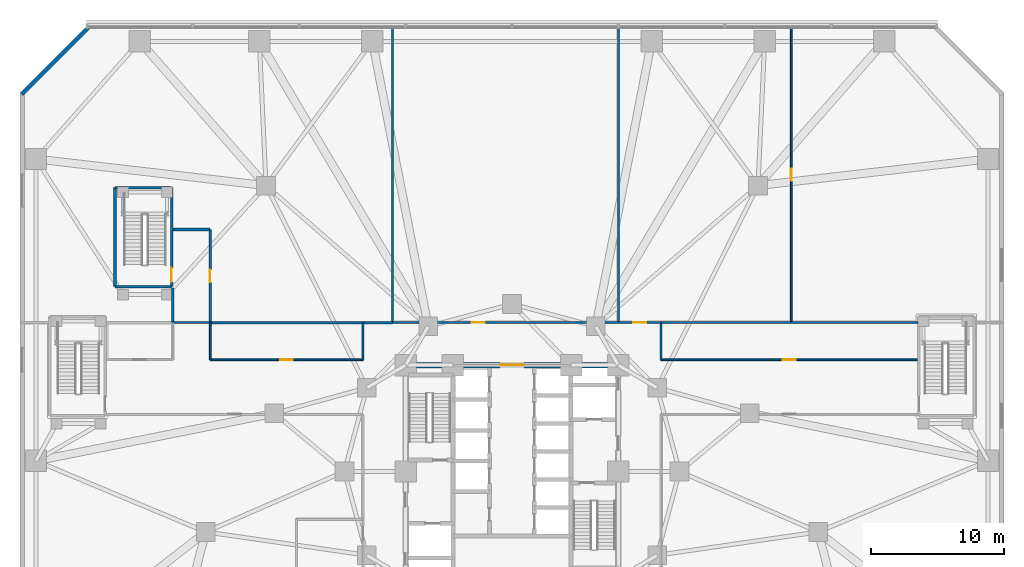
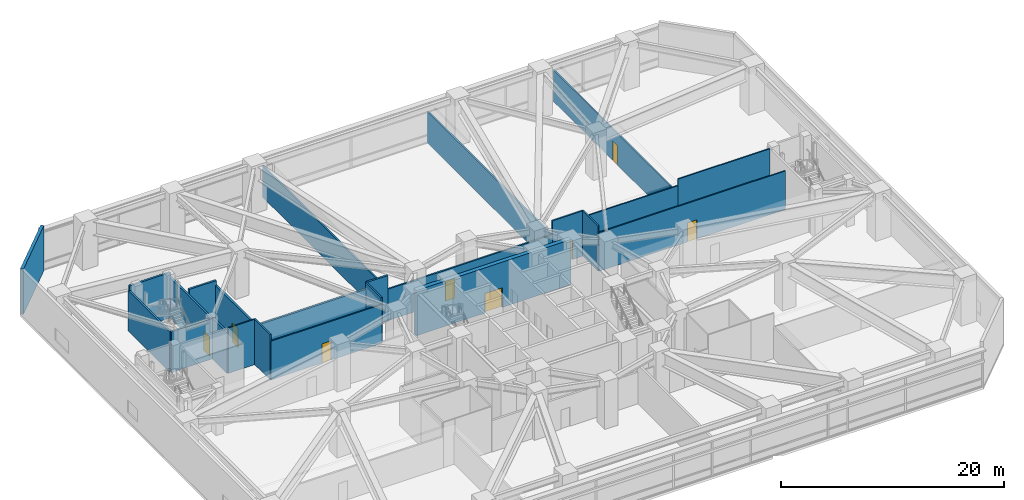
# One storey, part 17 of 28: 24 walls, 8 doors, 8 openings.
"""IFC4 building model written with IfcOpenShell, lengths in metres."""

from ifc_helpers import new_model, si_unit, direction, frame, frame_2d, origin, place, context, subcontext, project, spatial, rectangle, extrude, material, layer, layer_set, type_object, element, fill, save


model = new_model("IFC4")

# Units and contexts
model_context = context("Model", 3, precision=1e-05, world=origin(), true_north=direction((0.0, 1.0)))
body_context = subcontext(model_context, "Body", "Model", "MODEL_VIEW")
ifc_project = project(units=[si_unit("LENGTHUNIT", "METRE"), si_unit("AREAUNIT", "SQUARE_METRE"), si_unit("VOLUMEUNIT", "CUBIC_METRE"), si_unit("PLANEANGLEUNIT", "RADIAN"), si_unit("MASSUNIT", "GRAM", prefix="KILO")], contexts=[model_context])

# Site, building, storey
site_placement = place(None, origin())
site = spatial("IfcSite", under=ifc_project, at=site_placement, CompositionType="ELEMENT")
building_placement = place(site_placement, origin())
building = spatial("IfcBuilding", under=site, at=building_placement, Name="Terralouvre Media Tower", CompositionType="ELEMENT")
storey_placement = place(building_placement, frame((0.0, 0.0, 10.39990234375)))
storey = spatial("IfcBuildingStorey", under=building, at=storey_placement, Name="L02", CompositionType="ELEMENT", Elevation=10.39990234375)

# Wall, opening, door
ifc_material_1 = material(Name="Concrete C60/75", Category="concrete")
ifc_layer_1 = layer(ifc_material_1, 0.419921875, Name="Core Reinforced Concrete Shear Wall CW-420")
ifc_layer_set_1 = layer_set([ifc_layer_1], Name="Concrete C60/75")
wall_type_1 = type_object("IfcWallType", Name="Core Reinforced Concrete Shear Wall CW-420", PredefinedType="SHEAR", material=ifc_layer_set_1)
wall_1_placement = place(storey_placement, frame((-8.0, 8.0, 0.0), z_axis=(0.0, 0.0, 1.0), x_axis=(1.0, 0.0, 0.0)))
wall_1 = element("IfcWall", 1, at=wall_1_placement, inside=storey, type_object=wall_type_1, Name="L02 N Core Shear Wall", PredefinedType="SHEAR", context=body_context, shape_type="SweptSolid", body=[
    extrude(rectangle(XDim=16.0, YDim=0.419921875, at=frame_2d((8.0, 0.0))), origin(), (0.0, 0.0, 1.0), 4.9501953125),
])
opening_1_placement = place(wall_1_placement, frame((7.10009765625, 0.0, 0.0)))
opening_1 = element("IfcOpeningElement", 2, at=opening_1_placement, cuts=wall_1, Name="Opening FD-03", PredefinedType="OPENING", context=body_context, shape_type="SweptSolid", body=[
    extrude(rectangle(XDim=1.800048828125, YDim=2.14990234375, at=frame_2d((0.89990234375, 1.074951171875))), frame((0.0, 0.219970703125, 0.0), z_axis=(0.0, -1.0, 0.0), x_axis=(1.0, 0.0, 0.0)), (0.0, 0.0, 1.0), 0.43994140625),
])
ifc_material_2 = material(Name="Galvanised steel fire-resisting leaf", Category="steel")
door_type_1 = type_object("IfcDoorType", Name="Corridor Smoke-Control Double Door FD-03", OperationType="DOUBLE_DOOR_SINGLE_SWING", PredefinedType="DOOR", material=ifc_material_2)
door_1_placement = place(opening_1_placement, origin())
door_1 = element("IfcDoor", 3, at=door_1_placement, inside=storey, type_object=door_type_1, Name="L02 Central Lift Lobby Portal Door", OperationType="DOUBLE_DOOR_SINGLE_SWING", OverallHeight=2.14990234375, OverallWidth=1.800048828125, PredefinedType="DOOR", context=body_context, shape_type="SweptSolid", body=[
    extrude(rectangle(XDim=1.800048828125, YDim=2.14990234375, at=frame_2d((0.89990234375, 1.074951171875))), frame((0.0, 0.02490234375, 0.0), z_axis=(0.0, -1.0, 0.0), x_axis=(1.0, 0.0, 0.0)), (0.0, 0.0, 1.0), 0.050048828125),
])
fill(opening_1, door_1)

# Wall
ifc_material_3 = material(Name="Fire-rated gypsum board drywall partition")
ifc_layer_2 = layer(ifc_material_3, 0.199951171875, Name="Fire-Rated Shaft and Lobby Partition FW-200")
ifc_layer_set_2 = layer_set([ifc_layer_2], Name="Fire-rated gypsum board drywall partition")
wall_type_2 = type_object("IfcWallType", Name="Fire-Rated Shaft and Lobby Partition FW-200", PredefinedType="SOLIDWALL", material=ifc_layer_set_2)
wall_2_placement = place(storey_placement, frame((-29.85009765625, 13.89990234375, 0.0), z_axis=(0.0, 0.0, 1.0), x_axis=(1.0, 0.0, 0.0)))
element("IfcWall", 4, at=wall_2_placement, inside=storey, type_object=wall_type_2, Name="L02 ST06 Stair Shaft Wall S", PredefinedType="SOLIDWALL", context=body_context, shape_type="SweptSolid", body=[
    extrude(rectangle(XDim=4.25, YDim=0.199951171875, at=frame_2d((2.125, 0.0))), origin(), (0.0, 0.0, 1.0), 4.43505859375),
])

# Wall, opening, door
wall_3_placement = place(storey_placement, frame((-25.60009765625, 13.89990234375, 0.0), z_axis=(0.0, 0.0, 1.0), x_axis=(0.0, 1.0, 0.0)))
wall_3 = element("IfcWall", 5, at=wall_3_placement, inside=storey, type_object=wall_type_2, Name="L02 ST06 Stair Shaft Wall E", PredefinedType="SOLIDWALL", context=body_context, shape_type="SweptSolid", body=[
    extrude(rectangle(XDim=7.4501953125, YDim=0.199951171875, at=frame_2d((3.72509765625, 0.0))), origin(), (0.0, 0.0, 1.0), 4.43505859375),
])
opening_2_placement = place(wall_3_placement, frame((0.360107421875, 0.0, 0.0)))
opening_2 = element("IfcOpeningElement", 6, at=opening_2_placement, cuts=wall_3, Name="Opening FD-01-105X215", PredefinedType="OPENING", context=body_context, shape_type="SweptSolid", body=[
    extrude(rectangle(XDim=1.050048828125, YDim=2.14990234375, at=frame_2d((0.52490234375, 1.074951171875))), frame((0.0, 0.10986328125, 0.0), z_axis=(0.0, -1.0, 0.0), x_axis=(1.0, 0.0, 0.0)), (0.0, 0.0, 1.0), 0.219970703125),
])
ifc_material_4 = material(Name="Galvanised steel fire-resisting leaf", Category="steel")
door_type_2 = type_object("IfcDoorType", Name="Stair and Firefighting Lobby Fire Door FD-01 (1050x2150)", OperationType="NOTDEFINED", PredefinedType="DOOR", material=ifc_material_4)
door_2_placement = place(opening_2_placement, origin())
door_2 = element("IfcDoor", 7, at=door_2_placement, inside=storey, type_object=door_type_2, Name="L02 ST06 Pressurised Stair Door", OperationType="SINGLE_SWING_RIGHT", OverallHeight=2.14990234375, OverallWidth=1.050048828125, PredefinedType="DOOR", context=body_context, shape_type="SweptSolid", body=[
    extrude(rectangle(XDim=1.050048828125, YDim=2.14990234375, at=frame_2d((0.52490234375, 1.074951171875))), frame((0.0, 0.02490234375, 0.0), z_axis=(0.0, -1.0, 0.0), x_axis=(1.0, 0.0, 0.0)), (0.0, 0.0, 1.0), 0.050048828125),
])
fill(opening_2, door_2)

# Walls
wall_4_placement = place(storey_placement, frame((-25.60009765625, 21.35009765625, 0.0), z_axis=(0.0, 0.0, 1.0), x_axis=(-1.0, 0.0, 0.0)))
element("IfcWall", 8, at=wall_4_placement, inside=storey, type_object=wall_type_2, Name="L02 ST06 Stair Shaft Wall N", PredefinedType="SOLIDWALL", context=body_context, shape_type="SweptSolid", body=[
    extrude(rectangle(XDim=4.25, YDim=0.199951171875, at=frame_2d((2.125, 0.0))), origin(), (0.0, 0.0, 1.0), 4.9501953125),
])
wall_5_placement = place(storey_placement, frame((-29.85009765625, 21.35009765625, 0.0), z_axis=(0.0, 0.0, 1.0), x_axis=(0.0, -1.0, 0.0)))
element("IfcWall", 9, at=wall_5_placement, inside=storey, type_object=wall_type_2, Name="L02 ST06 Stair Shaft Wall W", PredefinedType="SOLIDWALL", context=body_context, shape_type="SweptSolid", body=[
    extrude(rectangle(XDim=7.4501953125, YDim=0.199951171875, at=frame_2d((3.72509765625, 0.0))), origin(), (0.0, 0.0, 1.0), 4.43505859375),
])
wall_6_placement = place(storey_placement, frame((-9.0, 11.199951171875, 0.0), z_axis=(0.0, 0.0, 1.0), x_axis=(-1.0, 0.0, 0.0)))
element("IfcWall", 10, at=wall_6_placement, inside=storey, type_object=wall_type_2, Name="L02 Interior Partition 015", PredefinedType="SOLIDWALL", context=body_context, shape_type="SweptSolid", body=[
    extrude(rectangle(XDim=2.199951171875, YDim=0.199951171875, at=frame_2d((1.10009765625, 0.0))), origin(), (0.0, 0.0, 1.0), 4.9501953125),
])
wall_7_placement = place(storey_placement, frame((-25.5, 13.800048828125, 0.0), z_axis=(0.0, 0.0, 1.0), x_axis=(0.0, -1.0, 0.0)))
element("IfcWall", 11, at=wall_7_placement, inside=storey, type_object=wall_type_2, Name="L02 Interior Partition 021", PredefinedType="SOLIDWALL", context=body_context, shape_type="SweptSolid", body=[
    extrude(rectangle(XDim=2.60009765625, YDim=0.199951171875, at=frame_2d((1.300048828125, 0.0))), origin(), (0.0, 0.0, 1.0), 4.43505859375),
])

# Wall, opening, door
wall_8_placement = place(storey_placement, frame((-22.699951171875, 11.199951171875, 0.0), z_axis=(0.0, 0.0, 1.0), x_axis=(0.0, 1.0, 0.0)))
wall_8 = element("IfcWall", 12, at=wall_8_placement, inside=storey, type_object=wall_type_2, Name="L02 Interior Partition 022", PredefinedType="SOLIDWALL", context=body_context, shape_type="SweptSolid", body=[
    extrude(rectangle(XDim=7.0, YDim=0.199951171875, at=frame_2d((3.5, 0.0))), origin(), (0.0, 0.0, 1.0), 4.43505859375),
])
opening_3_placement = place(wall_8_placement, frame((3.02490234375, 0.0, 0.0)))
opening_3 = element("IfcOpeningElement", 13, at=opening_3_placement, cuts=wall_8, Name="Opening FD-02-95X210", PredefinedType="OPENING", context=body_context, shape_type="SweptSolid", body=[
    extrude(rectangle(XDim=0.949951171875, YDim=2.10009765625, at=frame_2d((0.47509765625, 1.050048828125))), frame((0.0, 0.10986328125, 0.0), z_axis=(0.0, -1.0, 0.0), x_axis=(1.0, 0.0, 0.0)), (0.0, 0.0, 1.0), 0.219970703125),
])
ifc_material_5 = material(Name="Galvanised steel fire-resisting leaf", Category="steel")
door_type_3 = type_object("IfcDoorType", Name="Plant and Riser Fire Door FD-02 (950x2100)", OperationType="NOTDEFINED", PredefinedType="DOOR", material=ifc_material_5)
door_3_placement = place(opening_3_placement, origin())
door_3 = element("IfcDoor", 14, at=door_3_placement, inside=storey, type_object=door_type_3, Name="L02 L02 Central Apparatus Server Plant Room 11 Door", OperationType="SINGLE_SWING_RIGHT", OverallHeight=2.10009765625, OverallWidth=0.949951171875, PredefinedType="DOOR", context=body_context, shape_type="SweptSolid", body=[
    extrude(rectangle(XDim=0.949951171875, YDim=2.10009765625, at=frame_2d((0.47509765625, 1.050048828125))), frame((0.0, 0.02490234375, 0.0), z_axis=(0.0, -1.0, 0.0), x_axis=(1.0, 0.0, 0.0)), (0.0, 0.0, 1.0), 0.050048828125),
])
fill(opening_3, door_3)

# Walls
wall_9_placement = place(storey_placement, frame((-22.699951171875, 18.199951171875, 0.0), z_axis=(0.0, 0.0, 1.0), x_axis=(-1.0, 0.0, 0.0)))
element("IfcWall", 15, at=wall_9_placement, inside=storey, type_object=wall_type_2, Name="L02 Interior Partition 023", PredefinedType="SOLIDWALL", context=body_context, shape_type="SweptSolid", body=[
    extrude(rectangle(XDim=2.800048828125, YDim=0.199951171875, at=frame_2d((1.39990234375, 0.0))), origin(), (0.0, 0.0, 1.0), 4.9501953125),
])
wall_10_placement = place(storey_placement, frame((-22.699951171875, 11.199951171875, 0.0), z_axis=(0.0, 0.0, 1.0), x_axis=(1.0, 0.0, 0.0)))
element("IfcWall", 16, at=wall_10_placement, inside=storey, type_object=wall_type_2, Name="L02 Interior Partition 046", PredefinedType="SOLIDWALL", context=body_context, shape_type="SweptSolid", body=[
    extrude(rectangle(XDim=11.5, YDim=0.199951171875, at=frame_2d((5.75, 0.0))), origin(), (0.0, 0.0, 1.0), 4.235107421875),
])
ifc_material_6 = material(Name="Fire-rated gypsum board drywall partition")
ifc_layer_3 = layer(ifc_material_6, 0.135009765625, Name="Newsroom Acoustic Partition PT-135")
ifc_layer_set_3 = layer_set([ifc_layer_3], Name="Fire-rated gypsum board drywall partition")
wall_type_3 = type_object("IfcWallType", Name="Newsroom Acoustic Partition PT-135", PredefinedType="PARTITIONING", material=ifc_layer_set_3)
wall_11_placement = place(storey_placement, frame((-22.699951171875, 11.199951171875, 0.0), z_axis=(0.0, 0.0, 1.0), x_axis=(-1.0, 0.0, 0.0)))
element("IfcWall", 17, at=wall_11_placement, inside=storey, type_object=wall_type_3, Name="L02 Interior Partition 001", PredefinedType="PARTITIONING", context=body_context, shape_type="SweptSolid", body=[
    extrude(rectangle(XDim=2.800048828125, YDim=0.135009765625, at=frame_2d((1.39990234375, 0.0))), origin(), (0.0, 0.0, 1.0), 4.9501953125),
])

# Wall, opening, door
wall_12_placement = place(storey_placement, frame((30.5, 8.39990234375, 0.0), z_axis=(0.0, 0.0, 1.0), x_axis=(-1.0, 0.0, 0.0)))
wall_12 = element("IfcWall", 18, at=wall_12_placement, inside=storey, type_object=wall_type_3, Name="L02 Interior Partition 011", PredefinedType="PARTITIONING", context=body_context, shape_type="SweptSolid", body=[
    extrude(rectangle(XDim=19.300048828125, YDim=0.135009765625, at=frame_2d((9.64990234375, 0.0))), origin(), (0.0, 0.0, 1.0), 4.235107421875),
])
opening_4_placement = place(wall_12_placement, frame((9.175048828125, 0.0, 0.0)))
opening_4 = element("IfcOpeningElement", 19, at=opening_4_placement, cuts=wall_12, Name="Opening ID-02-95X210", PredefinedType="OPENING", context=body_context, shape_type="SweptSolid", body=[
    extrude(rectangle(XDim=0.949951171875, YDim=2.10009765625, at=frame_2d((0.47509765625, 1.050048828125))), frame((0.0, 0.077392578125, 0.0), z_axis=(0.0, -1.0, 0.0), x_axis=(1.0, 0.0, 0.0)), (0.0, 0.0, 1.0), 0.155029296875),
])
ifc_material_7 = material(Name="Engineered hardwood acoustic timber leaf", Category="wood")
door_type_4 = type_object("IfcDoorType", Name="Office and Meeting Room Door ID-02 (950x2100)", OperationType="NOTDEFINED", PredefinedType="DOOR", material=ifc_material_7)
door_4_placement = place(opening_4_placement, origin())
door_4 = element("IfcDoor", 20, at=door_4_placement, inside=storey, type_object=door_type_4, Name="L02 L02 Broadcast Tape Vault Store 7 Door", OperationType="SINGLE_SWING_LEFT", OverallHeight=2.10009765625, OverallWidth=0.949951171875, PredefinedType="DOOR", context=body_context, shape_type="SweptSolid", body=[
    extrude(rectangle(XDim=0.949951171875, YDim=2.10009765625, at=frame_2d((0.47509765625, 1.050048828125))), frame((0.0, 0.02490234375, 0.0), z_axis=(0.0, -1.0, 0.0), x_axis=(1.0, 0.0, 0.0)), (0.0, 0.0, 1.0), 0.050048828125),
])
fill(opening_4, door_4)

# Walls
for number, where, z_axis, x_axis, name in (
    (21, (11.199951171875, 8.39990234375, 0.0), (0.0, 0.0, 1.0), (0.0, 1.0, 0.0), "L02 Interior Partition 012"),
    (22, (-11.199951171875, 11.199951171875, 0.0), (0.0, 0.0, 1.0), (0.0, -1.0, 0.0), "L02 Interior Partition 016"),
):
    element("IfcWall", number, at=place(storey_placement, frame(where, z_axis=z_axis, x_axis=x_axis)), inside=storey, type_object=wall_type_3, Name=name, PredefinedType="PARTITIONING", context=body_context, shape_type="SweptSolid", body=[
        extrude(rectangle(XDim=2.800048828125, YDim=0.135009765625, at=frame_2d((1.39990234375, 0.0))), origin(), (0.0, 0.0, 1.0), 4.9501953125),
    ])

# Wall, opening, door
wall_13_placement = place(storey_placement, frame((-11.199951171875, 8.39990234375, 0.0), z_axis=(0.0, 0.0, 1.0), x_axis=(-1.0, 0.0, 0.0)))
wall_13 = element("IfcWall", 23, at=wall_13_placement, inside=storey, type_object=wall_type_3, Name="L02 Interior Partition 017", PredefinedType="PARTITIONING", context=body_context, shape_type="SweptSolid", body=[
    extrude(rectangle(XDim=11.5, YDim=0.135009765625, at=frame_2d((5.75, 0.0))), origin(), (0.0, 0.0, 1.0), 4.235107421875),
])
opening_5_placement = place(wall_13_placement, frame((5.27490234375, 0.0, 0.0)))
opening_5 = element("IfcOpeningElement", 24, at=opening_5_placement, cuts=wall_13, Name="Opening ID-02-95X210", PredefinedType="OPENING", context=body_context, shape_type="SweptSolid", body=[
    extrude(rectangle(XDim=0.949951171875, YDim=2.10009765625, at=frame_2d((0.47509765625, 1.050048828125))), frame((0.0, 0.077392578125, 0.0), z_axis=(0.0, -1.0, 0.0), x_axis=(1.0, 0.0, 0.0)), (0.0, 0.0, 1.0), 0.155029296875),
])
door_5_placement = place(opening_5_placement, origin())
door_5 = element("IfcDoor", 25, at=door_5_placement, inside=storey, type_object=door_type_4, Name="L02 L02 Post-Production Open Office 12 Door", OperationType="SINGLE_SWING_LEFT", OverallHeight=2.10009765625, OverallWidth=0.949951171875, PredefinedType="DOOR", context=body_context, shape_type="SweptSolid", body=[
    extrude(rectangle(XDim=0.949951171875, YDim=2.10009765625, at=frame_2d((0.47509765625, 1.050048828125))), frame((0.0, 0.02490234375, 0.0), z_axis=(0.0, -1.0, 0.0), x_axis=(1.0, 0.0, 0.0)), (0.0, 0.0, 1.0), 0.050048828125),
])
fill(opening_5, door_5)

# Walls
wall_14_placement = place(storey_placement, frame((-22.699951171875, 8.39990234375, 0.0), z_axis=(0.0, 0.0, 1.0), x_axis=(0.0, 1.0, 0.0)))
element("IfcWall", 26, at=wall_14_placement, inside=storey, type_object=wall_type_3, Name="L02 Interior Partition 018", PredefinedType="PARTITIONING", context=body_context, shape_type="SweptSolid", body=[
    extrude(rectangle(XDim=2.800048828125, YDim=0.135009765625, at=frame_2d((1.39990234375, 0.0))), origin(), (0.0, 0.0, 1.0), 4.9501953125),
])
wall_15_placement = place(storey_placement, frame((30.5, 11.199951171875, 0.0), z_axis=(0.0, 0.0, 1.0), x_axis=(-1.0, 0.0, 0.0)))
element("IfcWall", 27, at=wall_15_placement, inside=storey, type_object=wall_type_3, Name="L02 Interior Partition 041", PredefinedType="PARTITIONING", context=body_context, shape_type="SweptSolid", body=[
    extrude(rectangle(XDim=9.5, YDim=0.135009765625, at=frame_2d((4.75, 0.0))), origin(), (0.0, 0.0, 1.0), 4.9501953125),
])
wall_16_placement = place(storey_placement, frame((21.0, 11.199951171875, 0.0), z_axis=(0.0, 0.0, 1.0), x_axis=(-1.0, 0.0, 0.0)))
element("IfcWall", 28, at=wall_16_placement, inside=storey, type_object=wall_type_3, Name="L02 Interior Partition 042", PredefinedType="PARTITIONING", context=body_context, shape_type="SweptSolid", body=[
    extrude(rectangle(XDim=9.800048828125, YDim=0.135009765625, at=frame_2d((4.89990234375, 0.0))), origin(), (0.0, 0.0, 1.0), 4.235107421875),
])

# Wall, opening, door
wall_17_placement = place(storey_placement, frame((21.0, 33.419921875, 0.0), z_axis=(0.0, 0.0, 1.0), x_axis=(0.0, -1.0, 0.0)))
wall_17 = element("IfcWall", 29, at=wall_17_placement, inside=storey, type_object=wall_type_3, Name="L02 Interior Partition 043", PredefinedType="PARTITIONING", context=body_context, shape_type="SweptSolid", body=[
    extrude(rectangle(XDim=22.219970703125, YDim=0.135009765625, at=frame_2d((11.10986328125, 0.0))), origin(), (0.0, 0.0, 1.0), 3.43505859375),
])
opening_6_placement = place(wall_17_placement, frame((10.64990234375, 0.0, 0.0)))
opening_6 = element("IfcOpeningElement", 30, at=opening_6_placement, cuts=wall_17, Name="Opening ID-03-92X210", PredefinedType="OPENING", context=body_context, shape_type="SweptSolid", body=[
    extrude(rectangle(XDim=0.919921875, YDim=2.10009765625, at=frame_2d((0.4599609375, 1.050048828125))), frame((0.0, 0.077392578125, 0.0), z_axis=(0.0, -1.0, 0.0), x_axis=(1.0, 0.0, 0.0)), (0.0, 0.0, 1.0), 0.155029296875),
])
ifc_material_8 = material(Name="Engineered hardwood acoustic timber leaf", Category="wood")
door_type_5 = type_object("IfcDoorType", Name="Accessible Restroom and Suite Door ID-03 (920x2100)", OperationType="NOTDEFINED", PredefinedType="DOOR", material=ifc_material_8)
door_6_placement = place(opening_6_placement, origin())
door_6 = element("IfcDoor", 31, at=door_6_placement, inside=storey, type_object=door_type_5, Name="L02 L02 Operations Crew Lounge 8 Door", OperationType="SINGLE_SWING_LEFT", OverallHeight=2.10009765625, OverallWidth=0.919921875, PredefinedType="DOOR", context=body_context, shape_type="SweptSolid", body=[
    extrude(rectangle(XDim=0.919921875, YDim=2.10009765625, at=frame_2d((0.4599609375, 1.050048828125))), frame((0.0, 0.02490234375, 0.0), z_axis=(0.0, -1.0, 0.0), x_axis=(1.0, 0.0, 0.0)), (0.0, 0.0, 1.0), 0.050048828125),
])
fill(opening_6, door_6)

# Wall
ifc_material_9 = material(Name="Kiln-fired architectural terracotta rainscreen cladding", Category="masonry")
ifc_layer_4 = layer(ifc_material_9, 0.300048828125, Name="Podium Acoustic Terracotta Cladding Wall EW-TC300")
ifc_layer_set_4 = layer_set([ifc_layer_4], Name="Kiln-fired architectural terracotta rainscreen cladding")
wall_type_4 = type_object("IfcWallType", Name="Podium Acoustic Terracotta Cladding Wall EW-TC300", PredefinedType="SOLIDWALL", material=ifc_layer_set_4)
wall_18_placement = place(storey_placement, frame((-31.876220703125, 33.376220703125, 0.0), z_axis=(0.0, 0.0, 1.0), x_axis=(-0.707106781187, -0.707106781187, 0.0)))
element("IfcWall", 32, at=wall_18_placement, inside=storey, type_object=wall_type_4, Name="L02 Podium Terracotta Wall F5", PredefinedType="SOLIDWALL", context=body_context, shape_type="SweptSolid", body=[
    extrude(rectangle(XDim=7.071044921875, YDim=0.300048828125, at=frame_2d((3.53564453125, 0.0))), origin(), (0.0, 0.0, 1.0), 4.9501953125),
])

# Wall, opening, door
ifc_material_10 = material(Name="Fire-rated gypsum board drywall partition")
ifc_layer_5 = layer(ifc_material_10, 0.159912109375, Name="Studio Acoustic Rated Partition PT-160")
ifc_layer_set_5 = layer_set([ifc_layer_5], Name="Fire-rated gypsum board drywall partition")
wall_type_5 = type_object("IfcWallType", Name="Studio Acoustic Rated Partition PT-160", PredefinedType="PARTITIONING", material=ifc_layer_set_5)
wall_19_placement = place(storey_placement, frame((11.199951171875, 11.199951171875, 0.0), z_axis=(0.0, 0.0, 1.0), x_axis=(-1.0, 0.0, 0.0)))
wall_19 = element("IfcWall", 33, at=wall_19_placement, inside=storey, type_object=wall_type_5, Name="L02 Interior Partition 013", PredefinedType="PARTITIONING", context=body_context, shape_type="SweptSolid", body=[
    extrude(rectangle(XDim=3.199951171875, YDim=0.159912109375, at=frame_2d((1.60009765625, 0.0))), origin(), (0.0, 0.0, 1.0), 4.9501953125),
])
opening_7_placement = place(wall_19_placement, frame((1.10009765625, 0.0, 0.0)))
opening_7 = element("IfcOpeningElement", 34, at=opening_7_placement, cuts=wall_19, Name="Opening ID-01-100X215", PredefinedType="OPENING", context=body_context, shape_type="SweptSolid", body=[
    extrude(rectangle(XDim=1.0, YDim=2.14990234375, at=frame_2d((0.5, 1.074951171875))), frame((0.0, 0.08984375, 0.0), z_axis=(0.0, -1.0, 0.0), x_axis=(1.0, 0.0, 0.0)), (0.0, 0.0, 1.0), 0.179931640625),
])
ifc_material_11 = material(Name="Engineered hardwood acoustic timber leaf", Category="wood")
door_type_6 = type_object("IfcDoorType", Name="Broadcast Studio Acoustic Single Door ID-01 (1000x2150)", OperationType="NOTDEFINED", PredefinedType="DOOR", material=ifc_material_11)
door_7_placement = place(opening_7_placement, origin())
door_7 = element("IfcDoor", 35, at=door_7_placement, inside=storey, type_object=door_type_6, Name="L02 L02 Master Control Room 9 Door", OperationType="SINGLE_SWING_RIGHT", OverallHeight=2.14990234375, OverallWidth=1.0, PredefinedType="DOOR", context=body_context, shape_type="SweptSolid", body=[
    extrude(rectangle(XDim=1.0, YDim=2.14990234375, at=frame_2d((0.5, 1.074951171875))), frame((0.0, 0.02490234375, 0.0), z_axis=(0.0, -1.0, 0.0), x_axis=(1.0, 0.0, 0.0)), (0.0, 0.0, 1.0), 0.050048828125),
])
fill(opening_7, door_7)

wall_20_placement = place(storey_placement, frame((8.0, 11.199951171875, 0.0), z_axis=(0.0, 0.0, 1.0), x_axis=(-1.0, 0.0, 0.0)))
wall_20 = element("IfcWall", 36, at=wall_20_placement, inside=storey, type_object=wall_type_5, Name="L02 Interior Partition 014", PredefinedType="PARTITIONING", context=body_context, shape_type="SweptSolid", body=[
    extrude(rectangle(XDim=17.0, YDim=0.159912109375, at=frame_2d((8.5, 0.0))), origin(), (0.0, 0.0, 1.0), 3.43505859375),
])
opening_8_placement = place(wall_20_placement, frame((10.0400390625, 0.0, 0.0)))
opening_8 = element("IfcOpeningElement", 37, at=opening_8_placement, cuts=wall_20, Name="Opening ID-01-100X215", PredefinedType="OPENING", context=body_context, shape_type="SweptSolid", body=[
    extrude(rectangle(XDim=1.0, YDim=2.14990234375, at=frame_2d((0.5, 1.074951171875))), frame((0.0, 0.08984375, 0.0), z_axis=(0.0, -1.0, 0.0), x_axis=(1.0, 0.0, 0.0)), (0.0, 0.0, 1.0), 0.179931640625),
])
door_8_placement = place(opening_8_placement, origin())
door_8 = element("IfcDoor", 38, at=door_8_placement, inside=storey, type_object=door_type_6, Name="L02 L02 Studio Production Control Room 10 Door", OperationType="SINGLE_SWING_LEFT", OverallHeight=2.14990234375, OverallWidth=1.0, PredefinedType="DOOR", context=body_context, shape_type="SweptSolid", body=[
    extrude(rectangle(XDim=1.0, YDim=2.14990234375, at=frame_2d((0.5, 1.074951171875))), frame((0.0, 0.02490234375, 0.0), z_axis=(0.0, -1.0, 0.0), x_axis=(1.0, 0.0, 0.0)), (0.0, 0.0, 1.0), 0.050048828125),
])
fill(opening_8, door_8)

# Walls
for number, where, z_axis, x_axis, name in (
    (39, (8.0, 33.419921875, 0.0), (0.0, 0.0, 1.0), (0.0, -1.0, 0.0), "L02 Interior Partition 044"),
    (40, (-9.0, 33.419921875, 0.0), (0.0, 0.0, 1.0), (0.0, -1.0, 0.0), "L02 Interior Partition 045"),
):
    element("IfcWall", number, at=place(storey_placement, frame(where, z_axis=z_axis, x_axis=x_axis)), inside=storey, type_object=wall_type_5, Name=name, PredefinedType="PARTITIONING", context=body_context, shape_type="SweptSolid", body=[
        extrude(rectangle(XDim=22.219970703125, YDim=0.159912109375, at=frame_2d((11.10986328125, 0.0))), origin(), (0.0, 0.0, 1.0), 3.43505859375),
    ])

save(model, "model.ifc")
